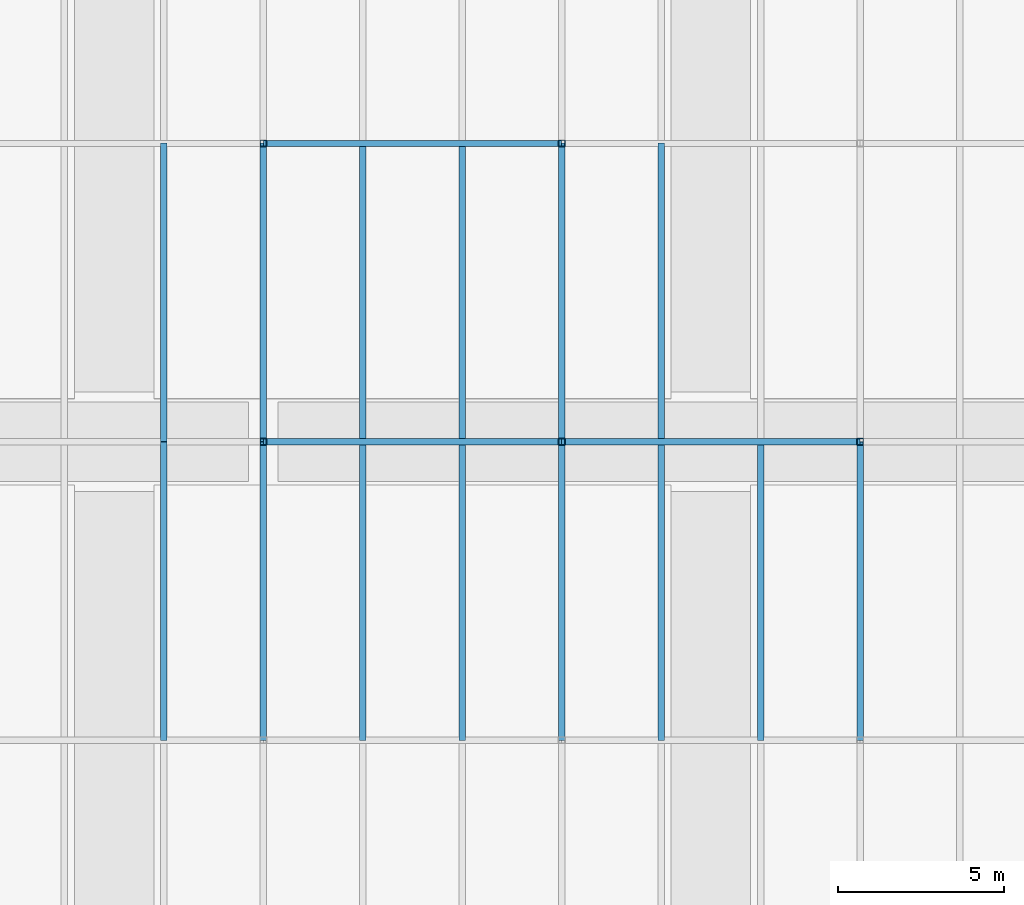
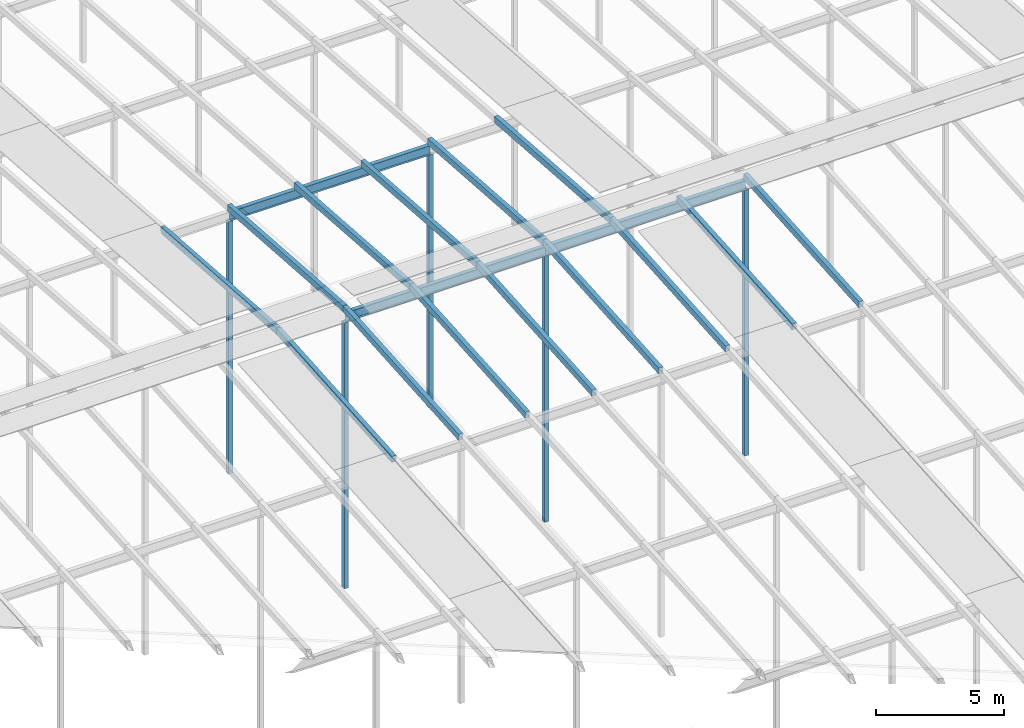
# One storey, part 25 of 84: 19 members, 3 beams.
"""IFC4 building model written with IfcOpenShell, lengths in metres."""

from ifc_helpers import new_model, si_unit, direction, frame, origin, origin_2d, place, context, subcontext, project, spatial, hollow_rectangle, i_section, extrude, material, material_profile, profile_set, type_object, element, save


model = new_model("IFC4")

# Units and contexts
model_context = context("Model", 3, precision=1e-05, world=origin(), true_north=direction((0.0, 1.0)))
body_context = subcontext(model_context, "Body", "Model", "MODEL_VIEW")
ifc_project = project(units=[si_unit("LENGTHUNIT", "METRE"), si_unit("AREAUNIT", "SQUARE_METRE"), si_unit("VOLUMEUNIT", "CUBIC_METRE"), si_unit("PLANEANGLEUNIT", "RADIAN"), si_unit("MASSUNIT", "GRAM", prefix="KILO")], contexts=[model_context])

# Site, building, storey
site_placement = place(None, origin())
site = spatial("IfcSite", under=ifc_project, at=site_placement, CompositionType="ELEMENT")
building_placement = place(site_placement, origin())
building = spatial("IfcBuilding", under=site, at=building_placement, Name="Silverbay Arena", CompositionType="ELEMENT")
storey_placement = place(building_placement, frame((0.0, 0.0, 47.10009765625)))
storey = spatial("IfcBuildingStorey", under=building, at=storey_placement, Name="ROOF", CompositionType="ELEMENT", Elevation=47.10009765625)

# Members
ifc_material_1 = material(Name="Steel S355", Category="steel")
ifc_material_profile_1 = material_profile(ifc_material_1, hollow_rectangle(XDim=0.199951171875, YDim=0.300048828125, WallThickness=0.00634765625, at=origin_2d()), Name="RHS 300x200x6.3")
ifc_profile_set_1 = profile_set([ifc_material_profile_1], Name="Steel S355")
member_type_1 = type_object("IfcMemberType", Name="Purlin RHS 300x200x6.3", PredefinedType="PURLIN", material=ifc_profile_set_1)
for number, where, z_axis, x_axis, name in (
    (1, (132.0, 72.0, 11.99951171875), (0.0, 0.997402911363, 0.072023832195), (-1.0, 0.0, 0.0), "ROOF PURLIN crown line 18 bay 06"),
    (2, (132.0, 81.0, 12.6494140625), (0.0, 0.997402911363, -0.072023832195), (-1.0, 0.0, 0.0), "ROOF PURLIN crown line 18 bay 07"),
    (3, (135.0, 72.0, 11.99951171875), (0.0, 0.997402911363, 0.072023832195), (-1.0, 0.0, 0.0), "ROOF PURLIN crown line 19 bay 06"),
    (4, (135.0, 81.0, 12.6494140625), (0.0, 0.997402911363, -0.072023832195), (-1.0, 0.0, 0.0), "ROOF PURLIN crown line 19 bay 07"),
    (5, (138.0, 72.0, 11.99951171875), (0.0, 0.997402911363, 0.072023832195), (-1.0, 0.0, 0.0), "ROOF PURLIN crown line 20 bay 06"),
    (6, (138.0, 81.0, 12.6494140625), (0.0, 0.997402911363, -0.072023832195), (-1.0, 0.0, 0.0), "ROOF PURLIN crown line 20 bay 07"),
    (7, (141.0, 72.0, 11.99951171875), (0.0, 0.997402911363, 0.072023832195), (-1.0, 0.0, 0.0), "ROOF PURLIN crown line 21 bay 06"),
    (8, (141.0, 81.0, 12.6494140625), (0.0, 0.997402911363, -0.072023832195), (-1.0, 0.0, 0.0), "ROOF PURLIN crown line 21 bay 07"),
    (9, (144.0, 72.0, 11.99951171875), (0.0, 0.997402911363, 0.072023832195), (-1.0, 0.0, 0.0), "ROOF PURLIN crown line 22 bay 06"),
    (10, (144.0, 81.0, 12.6494140625), (0.0, 0.997402911363, -0.072023832195), (-1.0, 0.0, 0.0), "ROOF PURLIN crown line 22 bay 07"),
    (11, (147.0, 72.0, 11.99951171875), (0.0, 0.997402911363, 0.072023832195), (-1.0, 0.0, 0.0), "ROOF PURLIN crown line 23 bay 06"),
    (12, (147.0, 81.0, 12.6494140625), (0.0, 0.997402911363, -0.072023832195), (-1.0, 0.0, 0.0), "ROOF PURLIN crown line 23 bay 07"),
    (13, (150.0, 72.0, 11.99951171875), (0.0, 0.997402911363, 0.072023832195), (-1.0, 0.0, 0.0), "ROOF PURLIN crown line 24 bay 06"),
    (14, (153.0, 72.0, 11.99951171875), (0.0, 0.997402911363, 0.072023832195), (-1.0, 0.0, 0.0), "ROOF PURLIN crown line 25 bay 06"),
):
    element("IfcMember", number, at=place(storey_placement, frame(where, z_axis=z_axis, x_axis=x_axis)), inside=storey, type_object=member_type_1, Name=name, PredefinedType="PURLIN", context=body_context, shape_type="SweptSolid", body=[
        extrude(hollow_rectangle(XDim=0.199951171875, YDim=0.300048828125, WallThickness=0.00634765625, at=origin_2d()), origin(), (0.0, 0.0, 1.0), 9.0234375),
    ])

# Beams
ifc_material_2 = material(Name="Steel S355", Category="steel")
ifc_material_profile_2 = material_profile(ifc_material_2, i_section(OverallWidth=0.18994140625, OverallDepth=0.453369140625, WebThickness=0.008544921875, FlangeThickness=0.0126953125, at=origin_2d()), Name="UB 457x191x67")
ifc_profile_set_2 = profile_set([ifc_material_profile_2], Name="Steel S355")
beam_type = type_object("IfcBeamType", Name="Ring beam UB 457x191x67", PredefinedType="BEAM", material=ifc_profile_set_2)
for number, where, z_axis, x_axis, name in (
    (15, (135.0, 81.0, 12.2724609375), (1.0, 0.0, 0.0), (0.0, 1.0, 0.0), "RING BEAM crown row 07 16-17"),
    (16, (144.0, 81.0, 12.2724609375), (1.0, 0.0, 0.0), (0.0, 1.0, 0.0), "RING BEAM crown row 07 17-18"),
    (17, (135.0, 90.0, 11.622314453125), (1.0, 0.0, 0.0), (0.0, 1.0, 0.0), "RING BEAM crown row 08 16-17"),
):
    element("IfcBeam", number, at=place(storey_placement, frame(where, z_axis=z_axis, x_axis=x_axis)), inside=storey, type_object=beam_type, Name=name, PredefinedType="BEAM", context=body_context, shape_type="SweptSolid", body=[
        extrude(i_section(OverallWidth=0.18994140625, OverallDepth=0.453369140625, WebThickness=0.008544921875, FlangeThickness=0.0126953125, at=origin_2d()), origin(), (0.0, 0.0, 1.0), 9.0),
    ])

# Members
ifc_material_3 = material(Name="Steel S355", Category="steel")
ifc_material_profile_3 = material_profile(ifc_material_3, hollow_rectangle(XDim=0.199951171875, YDim=0.199951171875, WallThickness=0.008056640625, at=origin_2d()), Name="SHS 200x200x8")
ifc_profile_set_3 = profile_set([ifc_material_profile_3], Name="Steel S355")
member_type_2 = type_object("IfcMemberType", Name="Roof post SHS 200x200x8", PredefinedType="POST", material=ifc_profile_set_3)
member_1_placement = place(storey_placement, frame((135.0, 81.0, -0.60009765625), z_axis=(0.0, 0.0, 1.0), x_axis=(1.0, 0.0, 0.0)))
element("IfcMember", 18, at=member_1_placement, inside=storey, type_object=member_type_2, Name="ROOF CROWN POST 16 row 07", PredefinedType="POST", context=body_context, shape_type="SweptSolid", body=[
    extrude(hollow_rectangle(XDim=0.199951171875, YDim=0.199951171875, WallThickness=0.008056640625, at=origin_2d()), origin(), (0.0, 0.0, 1.0), 12.645751953125),
])
member_2_placement = place(storey_placement, frame((135.0, 90.0, -0.60009765625), z_axis=(0.0, 0.0, 1.0), x_axis=(1.0, 0.0, 0.0)))
element("IfcMember", 19, at=member_2_placement, inside=storey, type_object=member_type_2, Name="ROOF CROWN POST 16 row 08", PredefinedType="POST", context=body_context, shape_type="SweptSolid", body=[
    extrude(hollow_rectangle(XDim=0.199951171875, YDim=0.199951171875, WallThickness=0.008056640625, at=origin_2d()), origin(), (0.0, 0.0, 1.0), 11.995849609375),
])
member_3_placement = place(storey_placement, frame((144.0, 81.0, -0.60009765625), z_axis=(0.0, 0.0, 1.0), x_axis=(1.0, 0.0, 0.0)))
element("IfcMember", 20, at=member_3_placement, inside=storey, type_object=member_type_2, Name="ROOF CROWN POST 17 row 07", PredefinedType="POST", context=body_context, shape_type="SweptSolid", body=[
    extrude(hollow_rectangle(XDim=0.199951171875, YDim=0.199951171875, WallThickness=0.008056640625, at=origin_2d()), origin(), (0.0, 0.0, 1.0), 12.645751953125),
])
member_4_placement = place(storey_placement, frame((144.0, 90.0, -0.60009765625), z_axis=(0.0, 0.0, 1.0), x_axis=(1.0, 0.0, 0.0)))
element("IfcMember", 21, at=member_4_placement, inside=storey, type_object=member_type_2, Name="ROOF CROWN POST 17 row 08", PredefinedType="POST", context=body_context, shape_type="SweptSolid", body=[
    extrude(hollow_rectangle(XDim=0.199951171875, YDim=0.199951171875, WallThickness=0.008056640625, at=origin_2d()), origin(), (0.0, 0.0, 1.0), 11.995849609375),
])
member_5_placement = place(storey_placement, frame((153.0, 81.0, -0.60009765625), z_axis=(0.0, 0.0, 1.0), x_axis=(1.0, 0.0, 0.0)))
element("IfcMember", 22, at=member_5_placement, inside=storey, type_object=member_type_2, Name="ROOF CROWN POST 18 row 07", PredefinedType="POST", context=body_context, shape_type="SweptSolid", body=[
    extrude(hollow_rectangle(XDim=0.199951171875, YDim=0.199951171875, WallThickness=0.008056640625, at=origin_2d()), origin(), (0.0, 0.0, 1.0), 12.645751953125),
])

save(model, "model.ifc")
